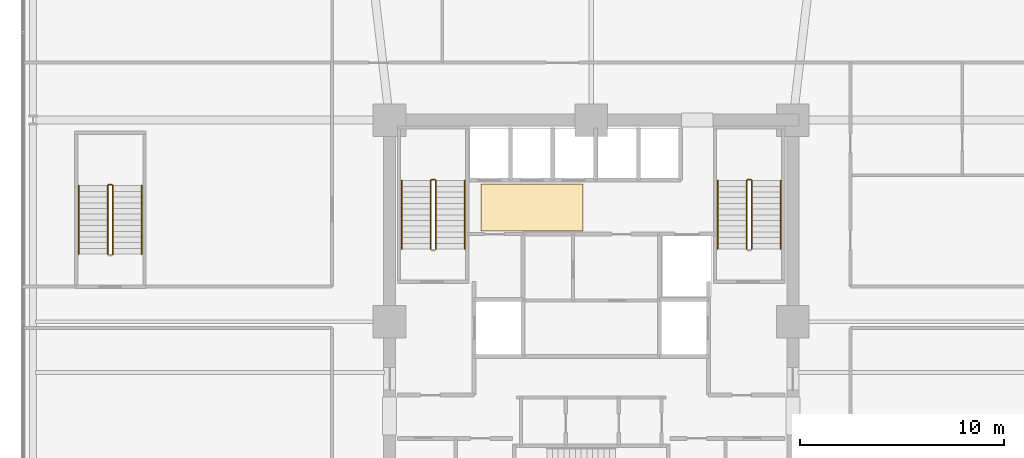
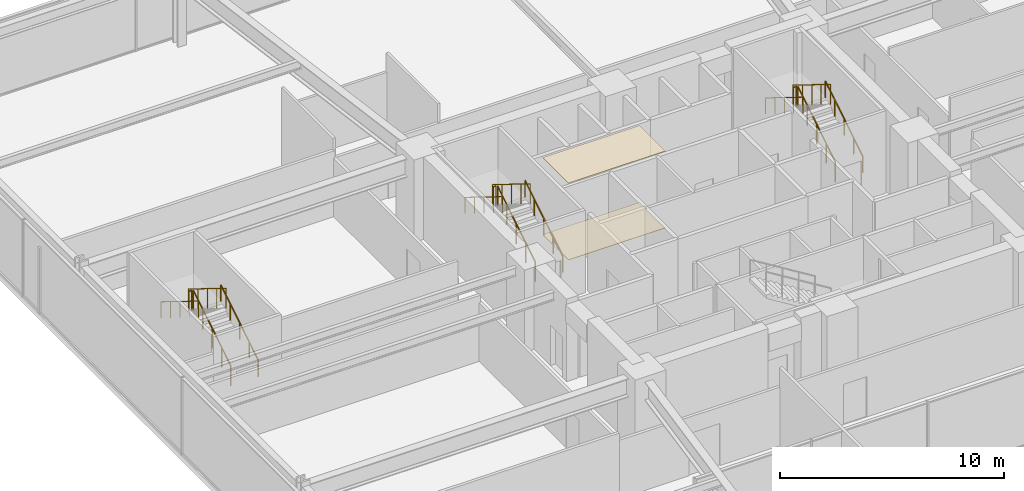
# One storey, part 46 of 47: 15 railings, 2 coverings.
"""IFC4 building model written with IfcOpenShell, lengths in metres."""

import ifcopenshell
import ifcopenshell.guid

model = None  # the IFC model being written
_history = None  # IfcOwnerHistory: only IFC2X3 demands one
_inside = {}  # id of a spatial element -> (the spatial element, [elements in it])
_under = {}  # id of a project, library or spatial element -> (it, [spatial elements below it])
_declared = {}  # id of a project -> (the project, [libraries it declares])
_typed = {}  # id of a type object -> (the type object, [elements of that type])
_made_of = {}  # id of a material, layer set ... -> (it, [elements and type objects made of it])


def new_model(schema):
    """Start an empty IFC model of exactly this schema.

    Asked for "IFC4X3", IfcOpenShell would pick the latest addendum, in which some entities
    have other attributes; the version numbers below select the first issue.
    IFC2X3 requires an IfcOwnerHistory on every rooted entity: one is made here for all.
    """
    global model, _history
    if schema == "IFC4X3":
        model = ifcopenshell.file(schema_version=(4, 3, 0, 0))
    else:
        model = ifcopenshell.file(schema=schema)
    _inside.clear()
    _under.clear()
    _declared.clear()
    _typed.clear()
    _made_of.clear()
    _history = None
    if model.schema == "IFC2X3":
        org = make("IfcOrganization", Name="unknown")
        user = make(
            "IfcPersonAndOrganization",
            ThePerson=make("IfcPerson", FamilyName="unknown"),
            TheOrganization=org,
        )
        app = make(
            "IfcApplication",
            ApplicationDeveloper=org,
            Version="unknown",
            ApplicationFullName="unknown",
            ApplicationIdentifier="unknown",
        )
        _history = make(
            "IfcOwnerHistory",
            OwningUser=user,
            OwningApplication=app,
            ChangeAction="ADDED",
            CreationDate=0,
        )
    return model


def make(cls, **values):
    """One entity of the class cls with the attributes given. An attribute that is None is left unset."""
    return model.create_entity(
        cls, **{name: value for name, value in values.items() if value is not None}
    )


def rooted(cls, **values):
    """An entity with a GlobalId (a new one), such as an element, a storey or a relation."""
    return make(cls, GlobalId=ifcopenshell.guid.new(), OwnerHistory=_history, **values)


def si_unit(unit_type, name, prefix=None):
    """IfcSIUnit, for example si_unit("LENGTHUNIT", "METRE", prefix="MILLI")."""
    return make("IfcSIUnit", UnitType=unit_type, Prefix=prefix, Name=name)


def assignment(units):
    """IfcUnitAssignment: the units of a project."""
    return None if units is None else make("IfcUnitAssignment", Units=units)


def point(xyz):
    """IfcCartesianPoint."""
    return None if xyz is None else make("IfcCartesianPoint", Coordinates=xyz)


def direction(xyz):
    """IfcDirection."""
    return None if xyz is None else make("IfcDirection", DirectionRatios=xyz)


def frame(location, z_axis=None, x_axis=None):
    """IfcAxis2Placement3D, a coordinate frame: its origin and axes. An axis left out is left unset."""
    return make(
        "IfcAxis2Placement3D",
        Location=point(location),
        Axis=direction(z_axis),
        RefDirection=direction(x_axis),
    )


def frame_2d(location, x_axis=None):
    """IfcAxis2Placement2D, a coordinate frame in the plane: its origin and x axis."""
    return make(
        "IfcAxis2Placement2D", Location=point(location), RefDirection=direction(x_axis)
    )


def origin():
    """The frame at (0, 0, 0) with its axes left unset."""
    return frame((0.0, 0.0, 0.0))


def origin_2d():
    """The frame at (0, 0) in the plane with its x axis left unset."""
    return frame_2d((0.0, 0.0))


def place(relative_to, where):
    """IfcLocalPlacement: puts the frame where relative to a parent placement (None: the world)."""
    return make(
        "IfcLocalPlacement", PlacementRelTo=relative_to, RelativePlacement=where
    )


def context(
    kind, dimensions, precision=None, world=None, true_north=None, identifier=None
):
    """IfcGeometricRepresentationContext, for example the 3D "Model" context."""
    return make(
        "IfcGeometricRepresentationContext",
        ContextIdentifier=identifier,
        ContextType=kind,
        CoordinateSpaceDimension=dimensions,
        Precision=precision,
        WorldCoordinateSystem=world,
        TrueNorth=true_north,
    )


def subcontext(parent, identifier, kind, view, scale=None):
    """IfcGeometricRepresentationSubContext, for example "Body" below "Model"."""
    return make(
        "IfcGeometricRepresentationSubContext",
        ContextIdentifier=identifier,
        ContextType=kind,
        ParentContext=parent,
        TargetScale=scale,
        TargetView=view,
    )


def project(units=None, contexts=None):
    """IfcProject with its units and contexts."""
    return rooted(
        "IfcProject",
        Name="project",
        RepresentationContexts=contexts,
        UnitsInContext=assignment(units),
    )


def spatial(cls, under=None, at=None, **own):
    """A site, building, storey or space (cls), placed at a placement, below another one or the project."""
    s = rooted(cls, ObjectPlacement=at, **own)
    if under is not None:
        _under.setdefault(under.id(), (under, []))[1].append(s)
    return s


def polyline(points):
    """IfcPolyline through the points."""
    return make("IfcPolyline", Points=[point(p) for p in points])


def profile(cls, at=None, kind="AREA", **sizes):
    """A parametric profile (cls). Its sizes go by their IFC names, for example OverallWidth=200.0."""
    return make(cls, ProfileType=kind, Position=at, **sizes)


def circle(**sizes):
    """IfcCircleProfileDef."""
    return profile("IfcCircleProfileDef", **sizes)


def outline(outer, holes=None, kind="AREA"):
    """IfcArbitraryClosedProfileDef: a profile drawn as a closed curve; with holes, ...WithVoids."""
    if holes is None:
        return make("IfcArbitraryClosedProfileDef", ProfileType=kind, OuterCurve=outer)
    return make(
        "IfcArbitraryProfileDefWithVoids",
        ProfileType=kind,
        OuterCurve=outer,
        InnerCurves=holes,
    )


def extrude(swept, where, along, depth):
    """IfcExtrudedAreaSolid: the profile swept, set in the frame where, extruded along a direction by depth."""
    return make(
        "IfcExtrudedAreaSolid",
        SweptArea=swept,
        Position=where,
        ExtrudedDirection=direction(along),
        Depth=depth,
    )


def shape(context_of_items, identifier, shape_type, items):
    """IfcShapeRepresentation: the items that make up one representation, for example the "Body"."""
    return make(
        "IfcShapeRepresentation",
        ContextOfItems=context_of_items,
        RepresentationIdentifier=identifier,
        RepresentationType=shape_type,
        Items=items,
    )


def material(Name=None, Category=None):
    """IfcMaterial."""
    return make("IfcMaterial", Name=Name, Category=Category)


def layer(
    of_material, thickness, ventilated=None, Name=None, Category=None, Priority=None
):
    """IfcMaterialLayer: one layer of a wall or slab, of a material (None: an air gap)."""
    return make(
        "IfcMaterialLayer",
        Material=of_material,
        LayerThickness=thickness,
        IsVentilated=ventilated,
        Name=Name,
        Category=Category,
        Priority=Priority,
    )


def layer_set(layers, Name=None):
    """IfcMaterialLayerSet."""
    return make("IfcMaterialLayerSet", MaterialLayers=layers, LayerSetName=Name)


def made_of(thing, what):
    """Note that an element or type object is made of a material, layer set ...; save() writes the relation."""
    if what is not None:
        _made_of.setdefault(what.id(), (what, []))[1].append(thing)
    return thing


def type_object(cls, material=None, **own):
    """A type object (cls), such as IfcWallType, which elements share."""
    return made_of(rooted(cls, **own), material)


def element(
    cls,
    number,
    at=None,
    inside=None,
    cuts=None,
    type_object=None,
    material=None,
    context=None,
    identifier="Body",
    shape_type=None,
    held_by="IfcProductDefinitionShape",
    body=None,
    shapes=None,
    **own,
):
    """One element of the class cls, such as IfcWall. Its Tag is "e" and its number.

    at: its placement. inside: the storey or other place that contains it. cuts: it is an
    opening in that element (IfcRelVoidsElement). A single representation is given by context,
    identifier, shape_type and body (its items); several are given by shapes. held_by: the class
    of the entity that holds the representations. save() writes the other relations.
    """
    e = rooted(cls, Tag="e%d" % number, ObjectPlacement=at, **own)
    if body is not None:
        shapes = [shape(context, identifier, shape_type, body)]
    if shapes is not None:
        e.Representation = make(held_by, Representations=shapes)
    if inside is not None:
        _inside.setdefault(inside.id(), (inside, []))[1].append(e)
    if cuts is not None:
        rooted(
            "IfcRelVoidsElement", RelatingBuildingElement=cuts, RelatedOpeningElement=e
        )
    if type_object is not None:
        _typed.setdefault(type_object.id(), (type_object, []))[1].append(e)
    return made_of(e, material)


def aggregate(whole, parts):
    """IfcRelAggregates: a whole, such as a stair, and the parts it consists of."""
    return rooted("IfcRelAggregates", RelatingObject=whole, RelatedObjects=parts)


def save(model, path):
    """Write the relations noted so far, then the file.

    IfcRelAggregates (storeys below a building ...), IfcRelContainedInSpatialStructure (elements
    in a storey), IfcRelDefinesByType, IfcRelAssociatesMaterial and IfcRelDeclares: one each for
    every whole, place, type object, material and project.
    """
    for whole, parts in _under.values():
        aggregate(whole, parts)
    for where, things in _inside.values():
        rooted(
            "IfcRelContainedInSpatialStructure",
            RelatedElements=things,
            RelatingStructure=where,
        )
    for kind, things in _typed.values():
        rooted("IfcRelDefinesByType", RelatedObjects=things, RelatingType=kind)
    for what, things in _made_of.values():
        rooted("IfcRelAssociatesMaterial", RelatedObjects=things, RelatingMaterial=what)
    for by, libraries in _declared.values():
        rooted("IfcRelDeclares", RelatingContext=by, RelatedDefinitions=libraries)
    model.write(path)


model = new_model("IFC4")

# Units and contexts
model_context = context("Model", 3, precision=1e-05, world=origin(), true_north=direction((0.0, 1.0)))
body_context = subcontext(model_context, "Body", "Model", "MODEL_VIEW")
ifc_project = project(units=[si_unit("LENGTHUNIT", "METRE"), si_unit("AREAUNIT", "SQUARE_METRE"), si_unit("VOLUMEUNIT", "CUBIC_METRE"), si_unit("PLANEANGLEUNIT", "RADIAN"), si_unit("MASSUNIT", "GRAM", prefix="KILO")], contexts=[model_context])

# Site, building, storey
site_placement = place(None, origin())
site = spatial("IfcSite", under=ifc_project, at=site_placement, CompositionType="ELEMENT")
building_placement = place(site_placement, origin())
building = spatial("IfcBuilding", under=site, at=building_placement, Name="Kolvaren Belvedere", CompositionType="ELEMENT")
storey_placement = place(building_placement, frame((0.0, 0.0, 5.5)))
storey = spatial("IfcBuildingStorey", under=building, at=storey_placement, Name="L02", CompositionType="ELEMENT", Elevation=5.5)

# Coverings
ifc_material_1 = material(Name="Acoustic perforated gypsum board", Category="gypsum")
ifc_layer_1 = layer(ifc_material_1, 0.02490234375)
ifc_layer_set_1 = layer_set([ifc_layer_1], Name="Acoustic perforated gypsum board")
covering_type_1 = type_object("IfcCoveringType", Name="COV-CEIL-GYP", PredefinedType="CEILING", material=ifc_layer_set_1)
covering_1_placement = place(storey_placement, frame((0.0, 0.0, 4.195068359375)))
element("IfcCovering", 1, at=covering_1_placement, inside=storey, type_object=covering_type_1, Name="L02 Lift Lobby Acoustic Baffle Ceiling", PredefinedType="CEILING", context=body_context, shape_type="SweptSolid", body=[
    extrude(outline(polyline([(-5.39990234375, 4.449951171875), (-0.39990234375, 4.449951171875), (-0.39990234375, 6.75), (-5.39990234375, 6.75), (-5.39990234375, 4.449951171875)])), origin(), (0.0, 0.0, 1.0), 0.02490234375),
])
ifc_material_2 = material(Name="Honed Cascade basalt stone", Category="masonry")
ifc_layer_2 = layer(ifc_material_2, 0.02490234375)
ifc_layer_set_2 = layer_set([ifc_layer_2], Name="Honed Cascade basalt stone")
covering_type_2 = type_object("IfcCoveringType", Name="COV-FLR-STONE", PredefinedType="FLOORING", material=ifc_layer_set_2)
covering_2_placement = place(storey_placement, origin())
element("IfcCovering", 2, at=covering_2_placement, inside=storey, type_object=covering_type_2, Name="L02 Lift Lobby Finish Flooring", PredefinedType="FLOORING", context=body_context, shape_type="SweptSolid", body=[
    extrude(outline(polyline([(-5.39990234375, 4.449951171875), (-0.39990234375, 4.449951171875), (-0.39990234375, 6.75), (-5.39990234375, 6.75), (-5.39990234375, 4.449951171875)])), origin(), (0.0, 0.0, 1.0), 0.02490234375),
])

# Railings
ifc_material_3 = material(Name="Brushed stainless-steel handrail", Category="steel")
railing_type_1 = type_object("IfcRailingType", Name="RL-HANDRAIL-920", PredefinedType="HANDRAIL", material=ifc_material_3)
railing_1_placement = place(storey_placement, frame((-6.2099609375, 3.570068359375, 0.173095703125)))
element("IfcRailing", 3, at=railing_1_placement, inside=storey, type_object=railing_type_1, Name="L02 ST-1 stair handrail 1", PredefinedType="HANDRAIL", context=body_context, shape_type="SweptSolid", body=[
    extrude(circle(Radius=0.02392578125, at=origin_2d()), frame((0.0, 0.0, 0.8759765625), z_axis=(0.0, 0.850606129759, 0.525803396734), x_axis=(-1.0, 0.0, 0.0)), (0.0, 0.0, 1.0), 3.949951171875),
    extrude(circle(Radius=0.02099609375, at=origin_2d()), origin(), (0.0, 0.0, 1.0), 0.851806640625),
    extrude(circle(Radius=0.02099609375, at=origin_2d()), frame((0.0, 0.83984375, 0.519287109375)), (0.0, 0.0, 1.0), 0.851806640625),
    extrude(circle(Radius=0.02099609375, at=origin_2d()), frame((0.0, 1.679931640625, 1.03857421875)), (0.0, 0.0, 1.0), 0.851806640625),
    extrude(circle(Radius=0.02099609375, at=origin_2d()), frame((0.0, 2.52001953125, 1.5576171875)), (0.0, 0.0, 1.0), 0.851806640625),
    extrude(circle(Radius=0.02099609375, at=origin_2d()), frame((0.0, 3.35986328125, 2.076904296875)), (0.0, 0.0, 1.0), 0.851806640625),
])
railing_2_placement = place(storey_placement, frame((-9.300048828125, 6.929931640625, 2.423095703125)))
element("IfcRailing", 4, at=railing_2_placement, inside=storey, type_object=railing_type_1, Name="L02 ST-1 stair handrail 2", PredefinedType="HANDRAIL", context=body_context, shape_type="SweptSolid", body=[
    extrude(circle(Radius=0.02392578125, at=origin_2d()), frame((0.0, 0.0, 0.8759765625), z_axis=(0.0, -0.850606129759, 0.525803396734), x_axis=(1.0, 0.0, 0.0)), (0.0, 0.0, 1.0), 3.949951171875),
    extrude(circle(Radius=0.02099609375, at=origin_2d()), origin(), (0.0, 0.0, 1.0), 0.851806640625),
    extrude(circle(Radius=0.02099609375, at=origin_2d()), frame((0.0, -0.83984375, 0.519287109375)), (0.0, 0.0, 1.0), 0.851806640625),
    extrude(circle(Radius=0.02099609375, at=origin_2d()), frame((0.0, -1.679931640625, 1.03857421875)), (0.0, 0.0, 1.0), 0.851806640625),
    extrude(circle(Radius=0.02099609375, at=origin_2d()), frame((0.0, -2.52001953125, 1.5576171875)), (0.0, 0.0, 1.0), 0.851806640625),
    extrude(circle(Radius=0.02099609375, at=origin_2d()), frame((0.0, -3.35986328125, 2.076904296875)), (0.0, 0.0, 1.0), 0.851806640625),
])
railing_3_placement = place(storey_placement, frame((9.300048828125, 3.570068359375, 0.173095703125)))
element("IfcRailing", 5, at=railing_3_placement, inside=storey, type_object=railing_type_1, Name="L02 ST-2 stair handrail 1", PredefinedType="HANDRAIL", context=body_context, shape_type="SweptSolid", body=[
    extrude(circle(Radius=0.02392578125, at=origin_2d()), frame((0.0, 0.0, 0.8759765625), z_axis=(0.0, 0.850606129759, 0.525803396734), x_axis=(-1.0, 0.0, 0.0)), (0.0, 0.0, 1.0), 3.949951171875),
    extrude(circle(Radius=0.02099609375, at=origin_2d()), origin(), (0.0, 0.0, 1.0), 0.851806640625),
    extrude(circle(Radius=0.02099609375, at=origin_2d()), frame((0.0, 0.83984375, 0.519287109375)), (0.0, 0.0, 1.0), 0.851806640625),
    extrude(circle(Radius=0.02099609375, at=origin_2d()), frame((0.0, 1.679931640625, 1.03857421875)), (0.0, 0.0, 1.0), 0.851806640625),
    extrude(circle(Radius=0.02099609375, at=origin_2d()), frame((0.0, 2.52001953125, 1.5576171875)), (0.0, 0.0, 1.0), 0.851806640625),
    extrude(circle(Radius=0.02099609375, at=origin_2d()), frame((0.0, 3.35986328125, 2.076904296875)), (0.0, 0.0, 1.0), 0.851806640625),
])
railing_4_placement = place(storey_placement, frame((6.2099609375, 6.929931640625, 2.423095703125)))
element("IfcRailing", 6, at=railing_4_placement, inside=storey, type_object=railing_type_1, Name="L02 ST-2 stair handrail 2", PredefinedType="HANDRAIL", context=body_context, shape_type="SweptSolid", body=[
    extrude(circle(Radius=0.02392578125, at=origin_2d()), frame((0.0, 0.0, 0.8759765625), z_axis=(0.0, -0.850606129759, 0.525803396734), x_axis=(1.0, 0.0, 0.0)), (0.0, 0.0, 1.0), 3.949951171875),
    extrude(circle(Radius=0.02099609375, at=origin_2d()), origin(), (0.0, 0.0, 1.0), 0.851806640625),
    extrude(circle(Radius=0.02099609375, at=origin_2d()), frame((0.0, -0.83984375, 0.519287109375)), (0.0, 0.0, 1.0), 0.851806640625),
    extrude(circle(Radius=0.02099609375, at=origin_2d()), frame((0.0, -1.679931640625, 1.03857421875)), (0.0, 0.0, 1.0), 0.851806640625),
    extrude(circle(Radius=0.02099609375, at=origin_2d()), frame((0.0, -2.52001953125, 1.5576171875)), (0.0, 0.0, 1.0), 0.851806640625),
    extrude(circle(Radius=0.02099609375, at=origin_2d()), frame((0.0, -3.35986328125, 2.076904296875)), (0.0, 0.0, 1.0), 0.851806640625),
])
railing_5_placement = place(storey_placement, frame((-22.06005859375, 3.320068359375, 0.173095703125)))
element("IfcRailing", 7, at=railing_5_placement, inside=storey, type_object=railing_type_1, Name="L02 ST-P1 stair handrail 1", PredefinedType="HANDRAIL", context=body_context, shape_type="SweptSolid", body=[
    extrude(circle(Radius=0.02392578125, at=origin_2d()), frame((0.0, 0.0, 0.8759765625), z_axis=(0.0, 0.850606129759, 0.525803396734), x_axis=(-1.0, 0.0, 0.0)), (0.0, 0.0, 1.0), 3.949951171875),
    extrude(circle(Radius=0.02099609375, at=origin_2d()), origin(), (0.0, 0.0, 1.0), 0.851806640625),
    extrude(circle(Radius=0.02099609375, at=origin_2d()), frame((0.0, 0.83984375, 0.519287109375)), (0.0, 0.0, 1.0), 0.851806640625),
    extrude(circle(Radius=0.02099609375, at=origin_2d()), frame((0.0, 1.679931640625, 1.03857421875)), (0.0, 0.0, 1.0), 0.851806640625),
    extrude(circle(Radius=0.02099609375, at=origin_2d()), frame((0.0, 2.52001953125, 1.5576171875)), (0.0, 0.0, 1.0), 0.851806640625),
    extrude(circle(Radius=0.02099609375, at=origin_2d()), frame((0.0, 3.35986328125, 2.076904296875)), (0.0, 0.0, 1.0), 0.851806640625),
])
railing_6_placement = place(storey_placement, frame((-25.14990234375, 6.679931640625, 2.423095703125)))
element("IfcRailing", 8, at=railing_6_placement, inside=storey, type_object=railing_type_1, Name="L02 ST-P1 stair handrail 2", PredefinedType="HANDRAIL", context=body_context, shape_type="SweptSolid", body=[
    extrude(circle(Radius=0.02392578125, at=origin_2d()), frame((0.0, 0.0, 0.8759765625), z_axis=(0.0, -0.850606129759, 0.525803396734), x_axis=(1.0, 0.0, 0.0)), (0.0, 0.0, 1.0), 3.949951171875),
    extrude(circle(Radius=0.02099609375, at=origin_2d()), origin(), (0.0, 0.0, 1.0), 0.851806640625),
    extrude(circle(Radius=0.02099609375, at=origin_2d()), frame((0.0, -0.83984375, 0.519287109375)), (0.0, 0.0, 1.0), 0.851806640625),
    extrude(circle(Radius=0.02099609375, at=origin_2d()), frame((0.0, -1.679931640625, 1.03857421875)), (0.0, 0.0, 1.0), 0.851806640625),
    extrude(circle(Radius=0.02099609375, at=origin_2d()), frame((0.0, -2.52001953125, 1.5576171875)), (0.0, 0.0, 1.0), 0.851806640625),
    extrude(circle(Radius=0.02099609375, at=origin_2d()), frame((0.0, -3.35986328125, 2.076904296875)), (0.0, 0.0, 1.0), 0.851806640625),
])
ifc_material_4 = material(Name="Painted tubular steel stair guard", Category="steel")
railing_type_2 = type_object("IfcRailingType", Name="RL-STGUARD-1100", PredefinedType="GUARDRAIL", material=ifc_material_4)
railing_7_placement = place(storey_placement, frame((-7.6298828125, 3.570068359375, 0.173095703125)))
element("IfcRailing", 9, at=railing_7_placement, inside=storey, type_object=railing_type_2, Name="L02 ST-1 stair guard 1", PredefinedType="GUARDRAIL", context=body_context, shape_type="SweptSolid", body=[
    extrude(circle(Radius=0.02392578125, at=origin_2d()), frame((0.0, 0.0, 1.076171875), z_axis=(0.0, 0.850606129759, 0.525803396734), x_axis=(-1.0, 0.0, 0.0)), (0.0, 0.0, 1.0), 3.949951171875),
    extrude(circle(Radius=0.02099609375, at=origin_2d()), origin(), (0.0, 0.0, 1.0), 1.052001953125),
    extrude(circle(Radius=0.02099609375, at=origin_2d()), frame((0.0, 0.83984375, 0.519287109375)), (0.0, 0.0, 1.0), 1.052001953125),
    extrude(circle(Radius=0.02099609375, at=origin_2d()), frame((0.0, 1.679931640625, 1.03857421875)), (0.0, 0.0, 1.0), 1.052001953125),
    extrude(circle(Radius=0.02099609375, at=origin_2d()), frame((0.0, 2.52001953125, 1.5576171875)), (0.0, 0.0, 1.0), 1.052001953125),
    extrude(circle(Radius=0.02099609375, at=origin_2d()), frame((0.0, 3.35986328125, 2.076904296875)), (0.0, 0.0, 1.0), 1.052001953125),
])
railing_8_placement = place(storey_placement, frame((-7.679931640625, 6.97998046875, 2.25)))
element("IfcRailing", 10, at=railing_8_placement, inside=storey, type_object=railing_type_2, Name="L02 ST-1 stair guard 2", PredefinedType="GUARDRAIL", context=body_context, shape_type="SweptSolid", body=[
    extrude(circle(Radius=0.02392578125, at=origin_2d()), frame((0.0, 0.0, 1.076171875), z_axis=(-1.0, 0.0, 0.0), x_axis=(0.0, -1.0, 0.0)), (0.0, 0.0, 1.0), 0.150146484375),
    extrude(circle(Radius=0.02099609375, at=origin_2d()), origin(), (0.0, 0.0, 1.0), 1.052001953125),
    extrude(circle(Radius=0.02099609375, at=origin_2d()), frame((-0.150146484375, 0.0, 0.0)), (0.0, 0.0, 1.0), 1.052001953125),
])
railing_9_placement = place(storey_placement, frame((-7.8798828125, 6.929931640625, 2.423095703125)))
element("IfcRailing", 11, at=railing_9_placement, inside=storey, type_object=railing_type_2, Name="L02 ST-1 stair guard 3", PredefinedType="GUARDRAIL", context=body_context, shape_type="SweptSolid", body=[
    extrude(circle(Radius=0.02392578125, at=origin_2d()), frame((0.0, 0.0, 1.076171875), z_axis=(0.0, -0.850606129759, 0.525803396734), x_axis=(1.0, 0.0, 0.0)), (0.0, 0.0, 1.0), 3.949951171875),
    extrude(circle(Radius=0.02099609375, at=origin_2d()), origin(), (0.0, 0.0, 1.0), 1.052001953125),
    extrude(circle(Radius=0.02099609375, at=origin_2d()), frame((0.0, -0.83984375, 0.519287109375)), (0.0, 0.0, 1.0), 1.052001953125),
    extrude(circle(Radius=0.02099609375, at=origin_2d()), frame((0.0, -1.679931640625, 1.03857421875)), (0.0, 0.0, 1.0), 1.052001953125),
    extrude(circle(Radius=0.02099609375, at=origin_2d()), frame((0.0, -2.52001953125, 1.5576171875)), (0.0, 0.0, 1.0), 1.052001953125),
    extrude(circle(Radius=0.02099609375, at=origin_2d()), frame((0.0, -3.35986328125, 2.076904296875)), (0.0, 0.0, 1.0), 1.052001953125),
])
railing_10_placement = place(storey_placement, frame((7.8798828125, 3.570068359375, 0.173095703125)))
element("IfcRailing", 12, at=railing_10_placement, inside=storey, type_object=railing_type_2, Name="L02 ST-2 stair guard 1", PredefinedType="GUARDRAIL", context=body_context, shape_type="SweptSolid", body=[
    extrude(circle(Radius=0.02392578125, at=origin_2d()), frame((0.0, 0.0, 1.076171875), z_axis=(0.0, 0.850606129759, 0.525803396734), x_axis=(-1.0, 0.0, 0.0)), (0.0, 0.0, 1.0), 3.949951171875),
    extrude(circle(Radius=0.02099609375, at=origin_2d()), origin(), (0.0, 0.0, 1.0), 1.052001953125),
    extrude(circle(Radius=0.02099609375, at=origin_2d()), frame((0.0, 0.83984375, 0.519287109375)), (0.0, 0.0, 1.0), 1.052001953125),
    extrude(circle(Radius=0.02099609375, at=origin_2d()), frame((0.0, 1.679931640625, 1.03857421875)), (0.0, 0.0, 1.0), 1.052001953125),
    extrude(circle(Radius=0.02099609375, at=origin_2d()), frame((0.0, 2.52001953125, 1.5576171875)), (0.0, 0.0, 1.0), 1.052001953125),
    extrude(circle(Radius=0.02099609375, at=origin_2d()), frame((0.0, 3.35986328125, 2.076904296875)), (0.0, 0.0, 1.0), 1.052001953125),
])
railing_11_placement = place(storey_placement, frame((7.830078125, 6.97998046875, 2.25)))
element("IfcRailing", 13, at=railing_11_placement, inside=storey, type_object=railing_type_2, Name="L02 ST-2 stair guard 2", PredefinedType="GUARDRAIL", context=body_context, shape_type="SweptSolid", body=[
    extrude(circle(Radius=0.02392578125, at=origin_2d()), frame((0.0, 0.0, 1.076171875), z_axis=(-1.0, 0.0, 0.0), x_axis=(0.0, -1.0, 0.0)), (0.0, 0.0, 1.0), 0.150146484375),
    extrude(circle(Radius=0.02099609375, at=origin_2d()), origin(), (0.0, 0.0, 1.0), 1.052001953125),
    extrude(circle(Radius=0.02099609375, at=origin_2d()), frame((-0.150146484375, 0.0, 0.0)), (0.0, 0.0, 1.0), 1.052001953125),
])
railing_12_placement = place(storey_placement, frame((7.6298828125, 6.929931640625, 2.423095703125)))
element("IfcRailing", 14, at=railing_12_placement, inside=storey, type_object=railing_type_2, Name="L02 ST-2 stair guard 3", PredefinedType="GUARDRAIL", context=body_context, shape_type="SweptSolid", body=[
    extrude(circle(Radius=0.02392578125, at=origin_2d()), frame((0.0, 0.0, 1.076171875), z_axis=(0.0, -0.850606129759, 0.525803396734), x_axis=(1.0, 0.0, 0.0)), (0.0, 0.0, 1.0), 3.949951171875),
    extrude(circle(Radius=0.02099609375, at=origin_2d()), origin(), (0.0, 0.0, 1.0), 1.052001953125),
    extrude(circle(Radius=0.02099609375, at=origin_2d()), frame((0.0, -0.83984375, 0.519287109375)), (0.0, 0.0, 1.0), 1.052001953125),
    extrude(circle(Radius=0.02099609375, at=origin_2d()), frame((0.0, -1.679931640625, 1.03857421875)), (0.0, 0.0, 1.0), 1.052001953125),
    extrude(circle(Radius=0.02099609375, at=origin_2d()), frame((0.0, -2.52001953125, 1.5576171875)), (0.0, 0.0, 1.0), 1.052001953125),
    extrude(circle(Radius=0.02099609375, at=origin_2d()), frame((0.0, -3.35986328125, 2.076904296875)), (0.0, 0.0, 1.0), 1.052001953125),
])
railing_13_placement = place(storey_placement, frame((-23.47998046875, 3.320068359375, 0.173095703125)))
element("IfcRailing", 15, at=railing_13_placement, inside=storey, type_object=railing_type_2, Name="L02 ST-P1 stair guard 1", PredefinedType="GUARDRAIL", context=body_context, shape_type="SweptSolid", body=[
    extrude(circle(Radius=0.02392578125, at=origin_2d()), frame((0.0, 0.0, 1.076171875), z_axis=(0.0, 0.850606129759, 0.525803396734), x_axis=(-1.0, 0.0, 0.0)), (0.0, 0.0, 1.0), 3.949951171875),
    extrude(circle(Radius=0.02099609375, at=origin_2d()), origin(), (0.0, 0.0, 1.0), 1.052001953125),
    extrude(circle(Radius=0.02099609375, at=origin_2d()), frame((0.0, 0.83984375, 0.519287109375)), (0.0, 0.0, 1.0), 1.052001953125),
    extrude(circle(Radius=0.02099609375, at=origin_2d()), frame((0.0, 1.679931640625, 1.03857421875)), (0.0, 0.0, 1.0), 1.052001953125),
    extrude(circle(Radius=0.02099609375, at=origin_2d()), frame((0.0, 2.52001953125, 1.5576171875)), (0.0, 0.0, 1.0), 1.052001953125),
    extrude(circle(Radius=0.02099609375, at=origin_2d()), frame((0.0, 3.35986328125, 2.076904296875)), (0.0, 0.0, 1.0), 1.052001953125),
])
railing_14_placement = place(storey_placement, frame((-23.530029296875, 6.72998046875, 2.25)))
element("IfcRailing", 16, at=railing_14_placement, inside=storey, type_object=railing_type_2, Name="L02 ST-P1 stair guard 2", PredefinedType="GUARDRAIL", context=body_context, shape_type="SweptSolid", body=[
    extrude(circle(Radius=0.02392578125, at=origin_2d()), frame((0.0, 0.0, 1.076171875), z_axis=(-1.0, 0.0, 0.0), x_axis=(0.0, -1.0, 0.0)), (0.0, 0.0, 1.0), 0.14990234375),
    extrude(circle(Radius=0.02099609375, at=origin_2d()), origin(), (0.0, 0.0, 1.0), 1.052001953125),
    extrude(circle(Radius=0.02099609375, at=origin_2d()), frame((-0.14990234375, 0.0, 0.0)), (0.0, 0.0, 1.0), 1.052001953125),
])
railing_15_placement = place(storey_placement, frame((-23.72998046875, 6.679931640625, 2.423095703125)))
element("IfcRailing", 17, at=railing_15_placement, inside=storey, type_object=railing_type_2, Name="L02 ST-P1 stair guard 3", PredefinedType="GUARDRAIL", context=body_context, shape_type="SweptSolid", body=[
    extrude(circle(Radius=0.02392578125, at=origin_2d()), frame((0.0, 0.0, 1.076171875), z_axis=(0.0, -0.850606129759, 0.525803396734), x_axis=(1.0, 0.0, 0.0)), (0.0, 0.0, 1.0), 3.949951171875),
    extrude(circle(Radius=0.02099609375, at=origin_2d()), origin(), (0.0, 0.0, 1.0), 1.052001953125),
    extrude(circle(Radius=0.02099609375, at=origin_2d()), frame((0.0, -0.83984375, 0.519287109375)), (0.0, 0.0, 1.0), 1.052001953125),
    extrude(circle(Radius=0.02099609375, at=origin_2d()), frame((0.0, -1.679931640625, 1.03857421875)), (0.0, 0.0, 1.0), 1.052001953125),
    extrude(circle(Radius=0.02099609375, at=origin_2d()), frame((0.0, -2.52001953125, 1.5576171875)), (0.0, 0.0, 1.0), 1.052001953125),
    extrude(circle(Radius=0.02099609375, at=origin_2d()), frame((0.0, -3.35986328125, 2.076904296875)), (0.0, 0.0, 1.0), 1.052001953125),
])

save(model, "model.ifc")
